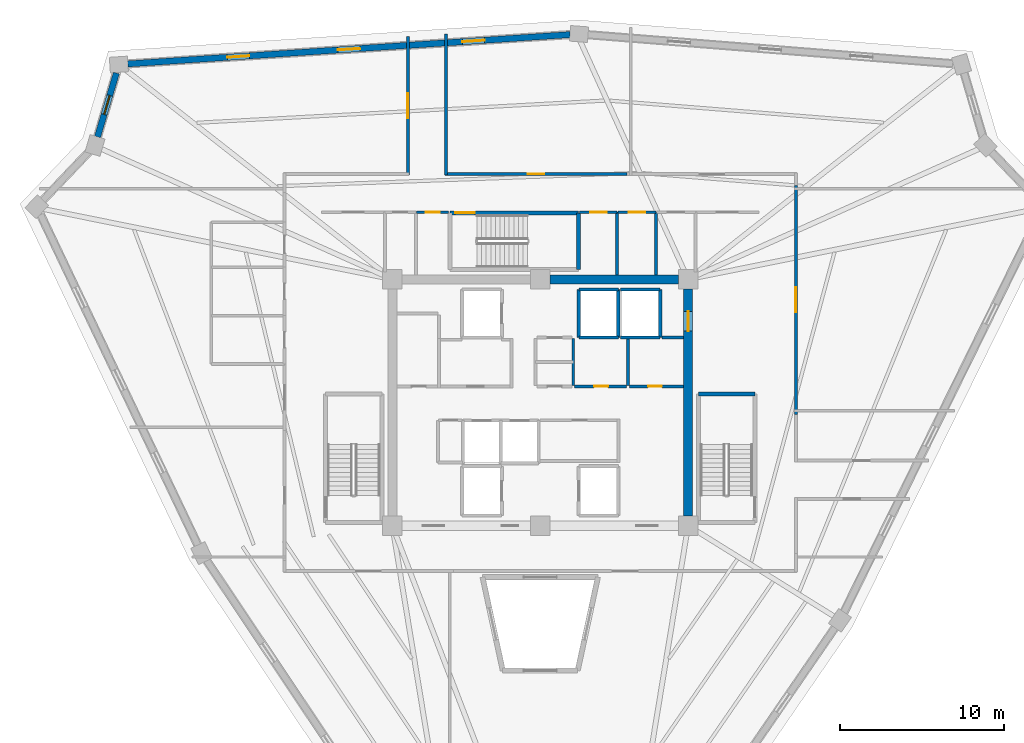
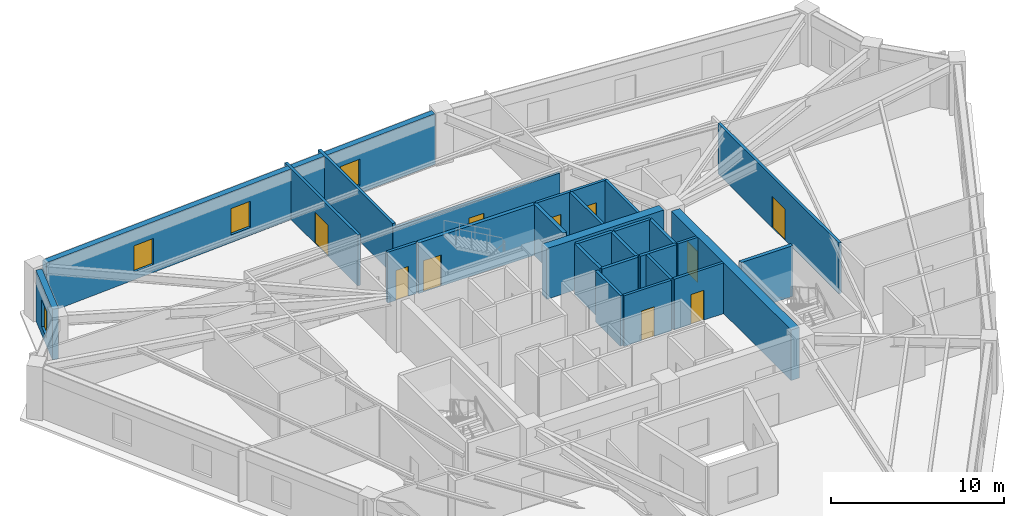
# One storey, part 6 of 8: 28 walls, 10 doors, 4 windows, 14 openings.
"""IFC4 building model written with IfcOpenShell, lengths in metres."""

from ifc_helpers import new_model, si_unit, direction, frame, frame_2d, origin, place, context, subcontext, project, spatial, rectangle, extrude, source, transform, mapped, material, layer, layer_set, type_object, element, fill, save


model = new_model("IFC4")

# Units and contexts
model_context = context("Model", 3, precision=1e-05, world=origin(), true_north=direction((0.0, 1.0)))
body_context = subcontext(model_context, "Body", "Model", "MODEL_VIEW")
ifc_project = project(units=[si_unit("LENGTHUNIT", "METRE"), si_unit("AREAUNIT", "SQUARE_METRE"), si_unit("VOLUMEUNIT", "CUBIC_METRE"), si_unit("PLANEANGLEUNIT", "RADIAN"), si_unit("MASSUNIT", "GRAM", prefix="KILO")], contexts=[model_context])

# Site, building, storey
site_placement = place(None, origin())
site = spatial("IfcSite", under=ifc_project, at=site_placement, CompositionType="ELEMENT")
building_placement = place(site_placement, origin())
building = spatial("IfcBuilding", under=site, at=building_placement, Name="Liaohun Quay Tower", CompositionType="ELEMENT")
storey_placement = place(building_placement, frame((0.0, 0.0, 294.0)))
storey = spatial("IfcBuildingStorey", under=building, at=storey_placement, Name="L76", CompositionType="ELEMENT", Elevation=294.0)

# Wall
ifc_material_1 = material(Name="Concrete C50", Category="concrete")
ifc_layer_1 = layer(ifc_material_1, 0.550048828125, Name="Concrete C50", Category="concrete")
ifc_layer_set_1 = layer_set([ifc_layer_1], Name="Concrete C50")
wall_type_1 = type_object("IfcWallType", Name="WAL-COR-Z4", PredefinedType="SHEAR", material=ifc_layer_set_1)
wall_1_placement = place(storey_placement, frame((60.60009765625, 61.5, 0.0), z_axis=(0.0, 0.0, 1.0), x_axis=(1.0, 0.0, 0.0)))
element("IfcWall", 1, at=wall_1_placement, inside=storey, type_object=wall_type_1, Name="L76 Central Core Shear Wall N-E", PredefinedType="SHEAR", context=body_context, shape_type="SweptSolid", body=[
    extrude(rectangle(XDim=7.7998046875, YDim=0.550048828125, at=frame_2d((3.89990234375, 0.0))), origin(), (0.0, 0.0, 1.0), 3.570068359375),
])

# Wall, opening, door
wall_2_placement = place(storey_placement, frame((69.0, 60.89990234375, 0.0), z_axis=(0.0, 0.0, 1.0), x_axis=(0.0, -1.0, 0.0)))
wall_2 = element("IfcWall", 2, at=wall_2_placement, inside=storey, type_object=wall_type_1, Name="L76 Central Core Shear Wall E", PredefinedType="SHEAR", context=body_context, shape_type="SweptSolid", body=[
    extrude(rectangle(XDim=13.7998046875, YDim=0.550048828125, at=frame_2d((6.89990234375, 0.0))), origin(), (0.0, 0.0, 1.0), 3.570068359375),
])
shared_shape_1 = source(origin(), body_context, "Body", "SweptSolid", [
    extrude(rectangle(XDim=1.199951171875, YDim=2.199951171875, at=frame_2d((0.60009765625, 1.10009765625))), frame((0.0, 0.284912109375, 0.0), z_axis=(0.0, -1.0, 0.0), x_axis=(1.0, 0.0, 0.0)), (0.0, 0.0, 1.0), 0.570068359375),
])
opening_1_placement = place(wall_2_placement, frame((1.35009765625, 0.0, 0.0)))
opening_1 = element("IfcOpeningElement", 3, at=opening_1_placement, cuts=wall_2, Name="Opening SD1", PredefinedType="OPENING", context=body_context, shape_type="MappedRepresentation", body=[
    mapped(shared_shape_1, transform((0.0, 0.0, 0.0), x_axis=(1.0, 0.0, 0.0), y_axis=(0.0, 1.0, 0.0), z_axis=(0.0, 0.0, 1.0), scale=1.0)),
])
ifc_material_2 = material(Name="Galvanised steel fire door", Category="steel")
door_type_1 = type_object("IfcDoorType", Name="DOR-STR-1200", OperationType="NOTDEFINED", PredefinedType="DOOR", material=ifc_material_2)
shared_shape_2 = source(origin(), body_context, "Body", "SweptSolid", [
    extrude(rectangle(XDim=1.199951171875, YDim=2.199951171875, at=frame_2d((0.60009765625, 1.10009765625))), frame((0.0, 0.02490234375, 0.0), z_axis=(0.0, -1.0, 0.0), x_axis=(1.0, 0.0, 0.0)), (0.0, 0.0, 1.0), 0.050048828125),
])
door_1_placement = place(opening_1_placement, origin())
door_1 = element("IfcDoor", 4, at=door_1_placement, inside=storey, type_object=door_type_1, Name="L76 North-East Core Lobby Smokeproof Door", OperationType="SINGLE_SWING_LEFT", OverallHeight=2.199951171875, OverallWidth=1.199951171875, PredefinedType="DOOR", context=body_context, shape_type="MappedRepresentation", body=[
    mapped(shared_shape_2, transform((0.0, 0.0, 0.0), x_axis=(1.0, 0.0, 0.0), y_axis=(0.0, 1.0, 0.0), z_axis=(0.0, 0.0, 1.0), scale=1.0)),
])
fill(opening_1, door_1)

# Wall, openings, windows
ifc_material_3 = material(Name="Precast concrete C50 insulated sandwich", Category="concrete")
ifc_layer_2 = layer(ifc_material_3, 0.3798828125, Name="Precast concrete C50 insulated sandwich", Category="concrete")
ifc_layer_set_2 = layer_set([ifc_layer_2], Name="Precast concrete C50 insulated sandwich")
wall_type_2 = type_object("IfcWallType", Name="WAL-EXT-Z34", PredefinedType="SOLIDWALL", material=ifc_layer_set_2)
wall_3_placement = place(storey_placement, frame((61.821044921875, 76.39111328125, 0.0), z_axis=(0.0, 0.0, 1.0), x_axis=(-0.997809311933, -0.06615570285, 0.0)))
wall_3 = element("IfcWall", 5, at=wall_3_placement, inside=storey, type_object=wall_type_2, Name="L76 Brutalist Precast Pier Wall 07", PredefinedType="SOLIDWALL", context=body_context, shape_type="SweptSolid", body=[
    extrude(rectangle(XDim=26.984130859375, YDim=0.3798828125, at=frame_2d((13.4921875, 0.0))), origin(), (0.0, 0.0, 1.0), 3.570068359375),
])
shared_shape_3 = source(origin(), body_context, "Body", "SweptSolid", [
    extrude(rectangle(XDim=1.35009765625, YDim=1.85009765625, at=frame_2d((0.675048828125, 0.925048828125))), frame((0.0, 0.199951171875, 0.0), z_axis=(0.0, -1.0, 0.0), x_axis=(1.0, 0.0, 0.0)), (0.0, 0.0, 1.0), 0.39990234375),
])
opening_2_placement = place(wall_3_placement, frame((5.220947265625, 0.0, 0.550048828125)))
opening_2 = element("IfcOpeningElement", 6, at=opening_2_placement, cuts=wall_3, Name="Opening W04", PredefinedType="OPENING", context=body_context, shape_type="MappedRepresentation", body=[
    mapped(shared_shape_3, transform((0.0, 0.0, 0.0), x_axis=(1.0, 0.0, 0.0), y_axis=(0.0, 1.0, 0.0), z_axis=(0.0, 0.0, 1.0), scale=1.0)),
])
opening_3_placement = place(wall_3_placement, frame((12.81689453125, 0.0, 0.550048828125)))
opening_3 = element("IfcOpeningElement", 7, at=opening_3_placement, cuts=wall_3, Name="Opening W04", PredefinedType="OPENING", context=body_context, shape_type="MappedRepresentation", body=[
    mapped(shared_shape_3, transform((0.0, 0.0, 0.0), x_axis=(1.0, 0.0, 0.0), y_axis=(0.0, 1.0, 0.0), z_axis=(0.0, 0.0, 1.0), scale=1.0)),
])
opening_4_placement = place(wall_3_placement, frame((19.56298828125, 0.0, 0.550048828125)))
opening_4 = element("IfcOpeningElement", 8, at=opening_4_placement, cuts=wall_3, Name="Opening W04", PredefinedType="OPENING", context=body_context, shape_type="MappedRepresentation", body=[
    mapped(shared_shape_3, transform((0.0, 0.0, 0.0), x_axis=(1.0, 0.0, 0.0), y_axis=(0.0, 1.0, 0.0), z_axis=(0.0, 0.0, 1.0), scale=1.0)),
])
ifc_material_4 = material(Name="Triple Low-E argon glazing in thermally broken aluminium", Category="aluminium")
window_type_1 = type_object("IfcWindowType", Name="WIN-PUN-Z4", PartitioningType="SINGLE_PANEL", PredefinedType="WINDOW", material=ifc_material_4)
shared_shape_4 = source(origin(), body_context, "Body", "SweptSolid", [
    extrude(rectangle(XDim=1.35009765625, YDim=1.85009765625, at=frame_2d((0.675048828125, 0.925048828125))), frame((0.0, 0.030029296875, 0.0), z_axis=(0.0, -1.0, 0.0), x_axis=(1.0, 0.0, 0.0)), (0.0, 0.0, 1.0), 0.06005859375),
])
window_1_placement = place(opening_2_placement, origin())
window_1 = element("IfcWindow", 9, at=window_1_placement, inside=storey, type_object=window_type_1, Name="L76 Recessed Cold-Climate Punched Window 07-1", OverallHeight=1.85009765625, OverallWidth=1.35009765625, PartitioningType="SINGLE_PANEL", PredefinedType="WINDOW", context=body_context, shape_type="MappedRepresentation", body=[
    mapped(shared_shape_4, transform((0.0, 0.0, 0.0), x_axis=(1.0, 0.0, 0.0), y_axis=(0.0, 1.0, 0.0), z_axis=(0.0, 0.0, 1.0), scale=1.0)),
])
fill(opening_2, window_1)
window_2_placement = place(opening_3_placement, origin())
window_2 = element("IfcWindow", 10, at=window_2_placement, inside=storey, type_object=window_type_1, Name="L76 Recessed Cold-Climate Punched Window 07-2", OverallHeight=1.85009765625, OverallWidth=1.35009765625, PartitioningType="SINGLE_PANEL", PredefinedType="WINDOW", context=body_context, shape_type="MappedRepresentation", body=[
    mapped(shared_shape_4, transform((0.0, 0.0, 0.0), x_axis=(1.0, 0.0, 0.0), y_axis=(0.0, 1.0, 0.0), z_axis=(0.0, 0.0, 1.0), scale=1.0)),
])
fill(opening_3, window_2)
window_3_placement = place(opening_4_placement, origin())
window_3 = element("IfcWindow", 11, at=window_3_placement, inside=storey, type_object=window_type_1, Name="L76 Recessed Cold-Climate Punched Window 07-3", OverallHeight=1.85009765625, OverallWidth=1.35009765625, PartitioningType="SINGLE_PANEL", PredefinedType="WINDOW", context=body_context, shape_type="MappedRepresentation", body=[
    mapped(shared_shape_4, transform((0.0, 0.0, 0.0), x_axis=(1.0, 0.0, 0.0), y_axis=(0.0, 1.0, 0.0), z_axis=(0.0, 0.0, 1.0), scale=1.0)),
])
fill(opening_4, window_3)

# Wall, opening, window
wall_4_placement = place(storey_placement, frame((34.2041015625, 74.052001953125, 0.0), z_axis=(0.0, 0.0, 1.0), x_axis=(-0.28287675233, -0.9591562662, 0.0)))
wall_4 = element("IfcWall", 12, at=wall_4_placement, inside=storey, type_object=wall_type_2, Name="L76 Brutalist Precast Pier Wall 08", PredefinedType="SOLIDWALL", context=body_context, shape_type="SweptSolid", body=[
    extrude(rectangle(XDim=4.055419921875, YDim=0.3798828125, at=frame_2d((2.02783203125, 0.0))), origin(), (0.0, 0.0, 1.0), 3.570068359375),
])
shared_shape_5 = source(origin(), body_context, "Body", "SweptSolid", [
    extrude(rectangle(XDim=1.199951171875, YDim=1.89990234375, at=frame_2d((0.60009765625, 0.949951171875))), frame((0.0, 0.199951171875, 0.0), z_axis=(0.0, -1.0, 0.0), x_axis=(1.0, 0.0, 0.0)), (0.0, 0.0, 1.0), 0.39990234375),
])
opening_5_placement = place(wall_4_placement, frame((1.427978515625, 0.0, 0.550048828125)))
opening_5 = element("IfcOpeningElement", 13, at=opening_5_placement, cuts=wall_4, Name="Opening W05", PredefinedType="OPENING", context=body_context, shape_type="MappedRepresentation", body=[
    mapped(shared_shape_5, transform((0.0, 0.0, 0.0), x_axis=(1.0, 0.0, 0.0), y_axis=(0.0, 1.0, 0.0), z_axis=(0.0, 0.0, 1.0), scale=1.0)),
])
ifc_material_5 = material(Name="Triple Low-E corner notch glazing", Category="glass")
window_type_2 = type_object("IfcWindowType", Name="WIN-NOTCH", PartitioningType="SINGLE_PANEL", PredefinedType="WINDOW", material=ifc_material_5)
shared_shape_6 = source(origin(), body_context, "Body", "SweptSolid", [
    extrude(rectangle(XDim=1.199951171875, YDim=1.89990234375, at=frame_2d((0.60009765625, 0.949951171875))), frame((0.0, 0.030029296875, 0.0), z_axis=(0.0, -1.0, 0.0), x_axis=(1.0, 0.0, 0.0)), (0.0, 0.0, 1.0), 0.06005859375),
])
window_4_placement = place(opening_5_placement, origin())
window_4 = element("IfcWindow", 14, at=window_4_placement, inside=storey, type_object=window_type_2, Name="L76 Corner Notch Window W05-08", OverallHeight=1.89990234375, OverallWidth=1.199951171875, PartitioningType="SINGLE_PANEL", PredefinedType="WINDOW", context=body_context, shape_type="MappedRepresentation", body=[
    mapped(shared_shape_6, transform((0.0, 0.0, 0.0), x_axis=(1.0, 0.0, 0.0), y_axis=(0.0, 1.0, 0.0), z_axis=(0.0, 0.0, 1.0), scale=1.0)),
])
fill(opening_5, window_4)

# Wall, opening, door
ifc_material_6 = material(Name="Autoclaved aerated concrete blockwork", Category="masonry")
ifc_layer_3 = layer(ifc_material_6, 0.179931640625, Name="Autoclaved aerated concrete blockwork", Category="masonry")
ifc_layer_set_3 = layer_set([ifc_layer_3], Name="Autoclaved aerated concrete blockwork")
wall_type_3 = type_object("IfcWallType", Name="WAL-PRT-COR", PredefinedType="PARTITIONING", material=ifc_layer_set_3)
wall_5_placement = place(storey_placement, frame((62.10009765625, 54.97998046875, 0.0), z_axis=(0.0, 0.0, 1.0), x_axis=(1.0, 0.0, 0.0)))
wall_5 = element("IfcWall", 15, at=wall_5_placement, inside=storey, type_object=wall_type_3, Name="L76 Interior Partition Wall 004", PredefinedType="PARTITIONING", context=body_context, shape_type="SweptSolid", body=[
    extrude(rectangle(XDim=3.159912109375, YDim=0.179931640625, at=frame_2d((1.580078125, 0.0))), origin(), (0.0, 0.0, 1.0), 3.570068359375),
])
shared_shape_7 = source(origin(), body_context, "Body", "SweptSolid", [
    extrude(rectangle(XDim=0.85009765625, YDim=2.10009765625, at=frame_2d((0.425048828125, 1.050048828125))), frame((0.0, 0.099853515625, 0.0), z_axis=(0.0, -1.0, 0.0), x_axis=(1.0, 0.0, 0.0)), (0.0, 0.0, 1.0), 0.199951171875),
])
opening_6_placement = place(wall_5_placement, frame((1.175048828125, 0.0, 0.0)))
opening_6 = element("IfcOpeningElement", 16, at=opening_6_placement, cuts=wall_5, Name="Opening AD1", PredefinedType="OPENING", context=body_context, shape_type="MappedRepresentation", body=[
    mapped(shared_shape_7, transform((0.0, 0.0, 0.0), x_axis=(1.0, 0.0, 0.0), y_axis=(0.0, 1.0, 0.0), z_axis=(0.0, 0.0, 1.0), scale=1.0)),
])
ifc_material_7 = material(Name="Steel riser inspection fire door", Category="steel")
door_type_2 = type_object("IfcDoorType", Name="DOR-SHF-850", OperationType="NOTDEFINED", PredefinedType="DOOR", material=ifc_material_7)
shared_shape_8 = source(origin(), body_context, "Body", "SweptSolid", [
    extrude(rectangle(XDim=0.85009765625, YDim=2.10009765625, at=frame_2d((0.425048828125, 1.050048828125))), frame((0.0, 0.02490234375, 0.0), z_axis=(0.0, -1.0, 0.0), x_axis=(1.0, 0.0, 0.0)), (0.0, 0.0, 1.0), 0.050048828125),
])
door_2_placement = place(opening_6_placement, origin())
door_2 = element("IfcDoor", 17, at=door_2_placement, inside=storey, type_object=door_type_2, Name="L76 Core Facilities Store Door", OperationType="SINGLE_SWING_RIGHT", OverallHeight=2.10009765625, OverallWidth=0.85009765625, PredefinedType="DOOR", context=body_context, shape_type="MappedRepresentation", body=[
    mapped(shared_shape_8, transform((0.0, 0.0, 0.0), x_axis=(1.0, 0.0, 0.0), y_axis=(0.0, 1.0, 0.0), z_axis=(0.0, 0.0, 1.0), scale=1.0)),
])
fill(opening_6, door_2)

wall_6_placement = place(storey_placement, frame((65.43994140625, 54.97998046875, 0.0), z_axis=(0.0, 0.0, 1.0), x_axis=(1.0, 0.0, 0.0)))
wall_6 = element("IfcWall", 18, at=wall_6_placement, inside=storey, type_object=wall_type_3, Name="L76 Interior Partition Wall 005", PredefinedType="PARTITIONING", context=body_context, shape_type="SweptSolid", body=[
    extrude(rectangle(XDim=3.28515625, YDim=0.179931640625, at=frame_2d((1.642578125, 0.0))), origin(), (0.0, 0.0, 1.0), 3.570068359375),
])
opening_7_placement = place(wall_6_placement, frame((1.1201171875, 0.0, 0.0)))
opening_7 = element("IfcOpeningElement", 19, at=opening_7_placement, cuts=wall_6, Name="Opening AD1", PredefinedType="OPENING", context=body_context, shape_type="MappedRepresentation", body=[
    mapped(shared_shape_7, transform((0.0, 0.0, 0.0), x_axis=(1.0, 0.0, 0.0), y_axis=(0.0, 1.0, 0.0), z_axis=(0.0, 0.0, 1.0), scale=1.0)),
])
door_3_placement = place(opening_7_placement, origin())
door_3 = element("IfcDoor", 20, at=door_3_placement, inside=storey, type_object=door_type_2, Name="L76 Core Comms Equipment Room Door", OperationType="SINGLE_SWING_LEFT", OverallHeight=2.10009765625, OverallWidth=0.85009765625, PredefinedType="DOOR", context=body_context, shape_type="MappedRepresentation", body=[
    mapped(shared_shape_8, transform((0.0, 0.0, 0.0), x_axis=(1.0, 0.0, 0.0), y_axis=(0.0, 1.0, 0.0), z_axis=(0.0, 0.0, 1.0), scale=1.0)),
])
fill(opening_7, door_3)

wall_7_placement = place(storey_placement, frame((52.47998046875, 65.580078125, 0.0), z_axis=(0.0, 0.0, 1.0), x_axis=(1.0, 0.0, 0.0)))
wall_7 = element("IfcWall", 21, at=wall_7_placement, inside=storey, type_object=wall_type_3, Name="L76 Interior Partition Wall 013", PredefinedType="PARTITIONING", context=body_context, shape_type="SweptSolid", body=[
    extrude(rectangle(XDim=1.929931640625, YDim=0.179931640625, at=frame_2d((0.96484375, 0.0))), origin(), (0.0, 0.0, 1.0), 3.570068359375),
])
opening_8_placement = place(wall_7_placement, frame((0.5400390625, 0.0, 0.0)))
opening_8 = element("IfcOpeningElement", 22, at=opening_8_placement, cuts=wall_7, Name="Opening AD1", PredefinedType="OPENING", context=body_context, shape_type="MappedRepresentation", body=[
    mapped(shared_shape_7, transform((0.0, 0.0, 0.0), x_axis=(1.0, 0.0, 0.0), y_axis=(0.0, 1.0, 0.0), z_axis=(0.0, 0.0, 1.0), scale=1.0)),
])
door_4_placement = place(opening_8_placement, origin())
door_4 = element("IfcDoor", 23, at=door_4_placement, inside=storey, type_object=door_type_2, Name="L76 North-West Print Closet Door", OperationType="SINGLE_SWING_LEFT", OverallHeight=2.10009765625, OverallWidth=0.85009765625, PredefinedType="DOOR", context=body_context, shape_type="MappedRepresentation", body=[
    mapped(shared_shape_8, transform((0.0, 0.0, 0.0), x_axis=(1.0, 0.0, 0.0), y_axis=(0.0, 1.0, 0.0), z_axis=(0.0, 0.0, 1.0), scale=1.0)),
])
fill(opening_8, door_4)

wall_8_placement = place(storey_placement, frame((62.389892578125, 65.580078125, 0.0), z_axis=(0.0, 0.0, 1.0), x_axis=(1.0, 0.0, 0.0)))
wall_8 = element("IfcWall", 24, at=wall_8_placement, inside=storey, type_object=wall_type_3, Name="L76 Interior Partition Wall 014", PredefinedType="PARTITIONING", context=body_context, shape_type="SweptSolid", body=[
    extrude(rectangle(XDim=2.2900390625, YDim=0.179931640625, at=frame_2d((1.14501953125, 0.0))), origin(), (0.0, 0.0, 1.0), 3.570068359375),
])
shared_shape_9 = source(origin(), body_context, "Body", "SweptSolid", [
    extrude(rectangle(XDim=1.0, YDim=2.199951171875, at=frame_2d((0.5, 1.10009765625))), frame((0.0, 0.099853515625, 0.0), z_axis=(0.0, -1.0, 0.0), x_axis=(1.0, 0.0, 0.0)), (0.0, 0.0, 1.0), 0.199951171875),
])
opening_9_placement = place(wall_8_placement, frame((0.64501953125, 0.0, 0.0)))
opening_9 = element("IfcOpeningElement", 25, at=opening_9_placement, cuts=wall_8, Name="Opening OD1", PredefinedType="OPENING", context=body_context, shape_type="MappedRepresentation", body=[
    mapped(shared_shape_9, transform((0.0, 0.0, 0.0), x_axis=(1.0, 0.0, 0.0), y_axis=(0.0, 1.0, 0.0), z_axis=(0.0, 0.0, 1.0), scale=1.0)),
])
ifc_material_8 = material(Name="Solid-core oak veneer timber leaf in steel frame", Category="steel")
door_type_3 = type_object("IfcDoorType", Name="DOR-OFF-1000", OperationType="NOTDEFINED", PredefinedType="DOOR", material=ifc_material_8)
shared_shape_10 = source(origin(), body_context, "Body", "SweptSolid", [
    extrude(rectangle(XDim=1.0, YDim=2.199951171875, at=frame_2d((0.5, 1.10009765625))), frame((0.0, 0.02490234375, 0.0), z_axis=(0.0, -1.0, 0.0), x_axis=(1.0, 0.0, 0.0)), (0.0, 0.0, 1.0), 0.050048828125),
])
door_5_placement = place(opening_9_placement, origin())
door_5 = element("IfcDoor", 26, at=door_5_placement, inside=storey, type_object=door_type_3, Name="L76 North-East Mail Store Door", OperationType="SINGLE_SWING_RIGHT", OverallHeight=2.199951171875, OverallWidth=1.0, PredefinedType="DOOR", context=body_context, shape_type="MappedRepresentation", body=[
    mapped(shared_shape_10, transform((0.0, 0.0, 0.0), x_axis=(1.0, 0.0, 0.0), y_axis=(0.0, 1.0, 0.0), z_axis=(0.0, 0.0, 1.0), scale=1.0)),
])
fill(opening_9, door_5)

wall_9_placement = place(storey_placement, frame((64.719970703125, 65.580078125, 0.0), z_axis=(0.0, 0.0, 1.0), x_axis=(1.0, 0.0, 0.0)))
wall_9 = element("IfcWall", 27, at=wall_9_placement, inside=storey, type_object=wall_type_3, Name="L76 Interior Partition Wall 015", PredefinedType="PARTITIONING", context=body_context, shape_type="SweptSolid", body=[
    extrude(rectangle(XDim=2.320068359375, YDim=0.179931640625, at=frame_2d((1.16015625, 0.0))), origin(), (0.0, 0.0, 1.0), 3.570068359375),
])
opening_10_placement = place(wall_9_placement, frame((0.659912109375, 0.0, 0.0)))
opening_10 = element("IfcOpeningElement", 28, at=opening_10_placement, cuts=wall_9, Name="Opening OD1", PredefinedType="OPENING", context=body_context, shape_type="MappedRepresentation", body=[
    mapped(shared_shape_9, transform((0.0, 0.0, 0.0), x_axis=(1.0, 0.0, 0.0), y_axis=(0.0, 1.0, 0.0), z_axis=(0.0, 0.0, 1.0), scale=1.0)),
])
door_6_placement = place(opening_10_placement, origin())
door_6 = element("IfcDoor", 29, at=door_6_placement, inside=storey, type_object=door_type_3, Name="L76 North-East Comms Room Door", OperationType="SINGLE_SWING_LEFT", OverallHeight=2.199951171875, OverallWidth=1.0, PredefinedType="DOOR", context=body_context, shape_type="MappedRepresentation", body=[
    mapped(shared_shape_10, transform((0.0, 0.0, 0.0), x_axis=(1.0, 0.0, 0.0), y_axis=(0.0, 1.0, 0.0), z_axis=(0.0, 0.0, 1.0), scale=1.0)),
])
fill(opening_10, door_6)

wall_10_placement = place(storey_placement, frame((75.56005859375, 67.215087890625, 0.0), z_axis=(0.0, 0.0, 1.0), x_axis=(0.0, -1.0, 0.0)))
wall_10 = element("IfcWall", 30, at=wall_10_placement, inside=storey, type_object=wall_type_3, Name="L76 Interior Partition Wall 019", PredefinedType="PARTITIONING", context=body_context, shape_type="SweptSolid", body=[
    extrude(rectangle(XDim=13.93017578125, YDim=0.179931640625, at=frame_2d((6.965087890625, 0.0))), origin(), (0.0, 0.0, 1.0), 3.570068359375),
])
shared_shape_11 = source(origin(), body_context, "Body", "SweptSolid", [
    extrude(rectangle(XDim=1.5, YDim=2.199951171875, at=frame_2d((0.75, 1.10009765625))), frame((0.0, 0.099853515625, 0.0), z_axis=(0.0, -1.0, 0.0), x_axis=(1.0, 0.0, 0.0)), (0.0, 0.0, 1.0), 0.199951171875),
])
opening_11_placement = place(wall_10_placement, frame((6.215087890625, 0.0, 0.0)))
opening_11 = element("IfcOpeningElement", 31, at=opening_11_placement, cuts=wall_10, Name="Opening OD2", PredefinedType="OPENING", context=body_context, shape_type="MappedRepresentation", body=[
    mapped(shared_shape_11, transform((0.0, 0.0, 0.0), x_axis=(1.0, 0.0, 0.0), y_axis=(0.0, 1.0, 0.0), z_axis=(0.0, 0.0, 1.0), scale=1.0)),
])
ifc_material_9 = material(Name="Acoustic oak veneer double door")
door_type_4 = type_object("IfcDoorType", Name="DOR-OFF-1500", OperationType="DOUBLE_DOOR_SINGLE_SWING", PredefinedType="DOOR", material=ifc_material_9)
shared_shape_12 = source(origin(), body_context, "Body", "SweptSolid", [
    extrude(rectangle(XDim=1.5, YDim=2.199951171875, at=frame_2d((0.75, 1.10009765625))), frame((0.0, 0.02490234375, 0.0), z_axis=(0.0, -1.0, 0.0), x_axis=(1.0, 0.0, 0.0)), (0.0, 0.0, 1.0), 0.050048828125),
])
door_7_placement = place(opening_11_placement, origin())
door_7 = element("IfcDoor", 32, at=door_7_placement, inside=storey, type_object=door_type_4, Name="L76 Engineering Model Workshop 01 Door", OperationType="DOUBLE_DOOR_SINGLE_SWING", OverallHeight=2.199951171875, OverallWidth=1.5, PredefinedType="DOOR", context=body_context, shape_type="MappedRepresentation", body=[
    mapped(shared_shape_12, transform((0.0, 0.0, 0.0), x_axis=(1.0, 0.0, 0.0), y_axis=(0.0, 1.0, 0.0), z_axis=(0.0, 0.0, 1.0), scale=1.0)),
])
fill(opening_11, door_7)

wall_11_placement = place(storey_placement, frame((54.18994140625, 67.909912109375, 0.0), z_axis=(0.0, 0.0, 1.0), x_axis=(1.0, 0.0, 0.0)))
wall_11 = element("IfcWall", 33, at=wall_11_placement, inside=storey, type_object=wall_type_3, Name="L76 Interior Partition Wall 021", PredefinedType="PARTITIONING", context=body_context, shape_type="SweptSolid", body=[
    extrude(rectangle(XDim=11.094970703125, YDim=0.179931640625, at=frame_2d((5.54736328125, 0.0))), origin(), (0.0, 0.0, 1.0), 3.260986328125),
])
opening_12_placement = place(wall_11_placement, frame((5.047119140625, 0.0, 0.0)))
opening_12 = element("IfcOpeningElement", 34, at=opening_12_placement, cuts=wall_11, Name="Opening OD1", PredefinedType="OPENING", context=body_context, shape_type="MappedRepresentation", body=[
    mapped(shared_shape_9, transform((0.0, 0.0, 0.0), x_axis=(1.0, 0.0, 0.0), y_axis=(0.0, 1.0, 0.0), z_axis=(0.0, 0.0, 1.0), scale=1.0)),
])
door_8_placement = place(opening_12_placement, origin())
door_8 = element("IfcDoor", 35, at=door_8_placement, inside=storey, type_object=door_type_3, Name="L76 Engineering Model Workshop 03 Door", OperationType="SINGLE_SWING_LEFT", OverallHeight=2.199951171875, OverallWidth=1.0, PredefinedType="DOOR", context=body_context, shape_type="MappedRepresentation", body=[
    mapped(shared_shape_10, transform((0.0, 0.0, 0.0), x_axis=(1.0, 0.0, 0.0), y_axis=(0.0, 1.0, 0.0), z_axis=(0.0, 0.0, 1.0), scale=1.0)),
])
fill(opening_12, door_8)

wall_12_placement = place(storey_placement, frame((51.93994140625, 67.840087890625, 0.0), z_axis=(0.0, 0.0, 1.0), x_axis=(0.0, 1.0, 0.0)))
wall_12 = element("IfcWall", 36, at=wall_12_placement, inside=storey, type_object=wall_type_3, Name="L76 Interior Partition Wall 022", PredefinedType="PARTITIONING", context=body_context, shape_type="SweptSolid", body=[
    extrude(rectangle(XDim=8.43701171875, YDim=0.179931640625, at=frame_2d((4.218505859375, 0.0))), origin(), (0.0, 0.0, 1.0), 3.570068359375),
])
opening_13_placement = place(wall_12_placement, frame((3.468017578125, 0.0, 0.0)))
opening_13 = element("IfcOpeningElement", 37, at=opening_13_placement, cuts=wall_12, Name="Opening OD2", PredefinedType="OPENING", context=body_context, shape_type="MappedRepresentation", body=[
    mapped(shared_shape_11, transform((0.0, 0.0, 0.0), x_axis=(1.0, 0.0, 0.0), y_axis=(0.0, 1.0, 0.0), z_axis=(0.0, 0.0, 1.0), scale=1.0)),
])
door_9_placement = place(opening_13_placement, origin())
door_9 = element("IfcDoor", 38, at=door_9_placement, inside=storey, type_object=door_type_4, Name="L76 Project Collaboration Studio 04 Door", OperationType="DOUBLE_DOOR_SINGLE_SWING", OverallHeight=2.199951171875, OverallWidth=1.5, PredefinedType="DOOR", context=body_context, shape_type="MappedRepresentation", body=[
    mapped(shared_shape_12, transform((0.0, 0.0, 0.0), x_axis=(1.0, 0.0, 0.0), y_axis=(0.0, 1.0, 0.0), z_axis=(0.0, 0.0, 1.0), scale=1.0)),
])
fill(opening_13, door_9)

# Walls
wall_13_placement = place(storey_placement, frame((65.35009765625, 55.02001953125, 0.0), z_axis=(0.0, 0.0, 1.0), x_axis=(0.0, 1.0, 0.0)))
element("IfcWall", 39, at=wall_13_placement, inside=storey, type_object=wall_type_3, Name="L76 Interior Partition Wall 030", PredefinedType="PARTITIONING", context=body_context, shape_type="SweptSolid", body=[
    extrude(rectangle(XDim=2.85986328125, YDim=0.179931640625, at=frame_2d((1.429931640625, 0.0))), origin(), (0.0, 0.0, 1.0), 3.570068359375),
])
wall_14_placement = place(storey_placement, frame((62.010009765625, 55.02001953125, 0.0), z_axis=(0.0, 0.0, 1.0), x_axis=(0.0, 1.0, 0.0)))
element("IfcWall", 40, at=wall_14_placement, inside=storey, type_object=wall_type_3, Name="L76 Interior Partition Wall 032", PredefinedType="PARTITIONING", context=body_context, shape_type="SweptSolid", body=[
    extrude(rectangle(XDim=2.8798828125, YDim=0.179931640625, at=frame_2d((1.43994140625, 0.0))), origin(), (0.0, 0.0, 1.0), 3.570068359375),
])
for number, where, z_axis, x_axis, name in (
    (41, (64.679931640625, 61.77490234375, 0.0), (0.0, 0.0, 1.0), (0.0, 1.0, 0.0), "L76 Interior Partition Wall 043"),
    (42, (67.0400390625, 61.77490234375, 0.0), (0.0, 0.0, 1.0), (0.0, 1.0, 0.0), "L76 Interior Partition Wall 044"),
):
    element("IfcWall", number, at=place(storey_placement, frame(where, z_axis=z_axis, x_axis=x_axis)), inside=storey, type_object=wall_type_3, Name=name, PredefinedType="PARTITIONING", context=body_context, shape_type="SweptSolid", body=[
        extrude(rectangle(XDim=3.80517578125, YDim=0.179931640625, at=frame_2d((1.902587890625, 0.0))), origin(), (0.0, 0.0, 1.0), 3.570068359375),
    ])
wall_15_placement = place(storey_placement, frame((54.260009765625, 76.430908203125, 0.0), z_axis=(0.0, 0.0, 1.0), x_axis=(0.0, -1.0, 0.0)))
element("IfcWall", 43, at=wall_15_placement, inside=storey, type_object=wall_type_3, Name="L76 Interior Partition Wall 047", PredefinedType="PARTITIONING", context=body_context, shape_type="SweptSolid", body=[
    extrude(rectangle(XDim=8.5908203125, YDim=0.179931640625, at=frame_2d((4.29541015625, 0.0))), origin(), (0.0, 0.0, 1.0), 3.570068359375),
])
wall_16_placement = place(storey_placement, frame((67.39990234375, 57.949951171875, 0.0), z_axis=(0.0, 0.0, 1.0), x_axis=(1.0, 0.0, 0.0)))
element("IfcWall", 44, at=wall_16_placement, inside=storey, type_object=wall_type_3, Name="L76 Interior Partition Wall 070", PredefinedType="PARTITIONING", context=body_context, shape_type="SweptSolid", body=[
    extrude(rectangle(XDim=1.3251953125, YDim=0.179931640625, at=frame_2d((0.66259765625, 0.0))), origin(), (0.0, 0.0, 1.0), 3.570068359375),
])
ifc_layer_4 = layer(ifc_material_1, 0.239990234375, Name="Concrete C50", Category="concrete")
ifc_layer_set_4 = layer_set([ifc_layer_4], Name="Concrete C50")
wall_type_4 = type_object("IfcWallType", Name="WAL-SHF-200", PredefinedType="SOLIDWALL", material=ifc_layer_set_4)
for number, where, z_axis, x_axis, name in (
    (45, (73.06005859375, 54.52001953125, 0.0), (0.0, 0.0, 1.0), (-1.0, 0.0, 0.0), "L76 Stairwell ST-2 Structural Core Wall N"),
    (46, (62.320068359375, 62.10009765625, 0.0), (0.0, 0.0, 1.0), (0.0, 1.0, 0.0), "L76 Stairwell ST-3 Structural Core Wall E"),
):
    element("IfcWall", number, at=place(storey_placement, frame(where, z_axis=z_axis, x_axis=x_axis)), inside=storey, type_object=wall_type_4, Name=name, PredefinedType="SOLIDWALL", context=body_context, shape_type="SweptSolid", body=[
        extrude(rectangle(XDim=3.43994140625, YDim=0.239990234375, at=frame_2d((1.719970703125, 0.0))), origin(), (0.0, 0.0, 1.0), 3.570068359375),
    ])

# Wall, opening, door
wall_17_placement = place(storey_placement, frame((62.320068359375, 65.5400390625, 0.0), z_axis=(0.0, 0.0, 1.0), x_axis=(-1.0, 0.0, 0.0)))
wall_17 = element("IfcWall", 47, at=wall_17_placement, inside=storey, type_object=wall_type_4, Name="L76 Stairwell ST-3 Structural Core Wall N", PredefinedType="SOLIDWALL", context=body_context, shape_type="SweptSolid", body=[
    extrude(rectangle(XDim=7.820068359375, YDim=0.239990234375, at=frame_2d((3.91015625, 0.0))), origin(), (0.0, 0.0, 1.0), 3.570068359375),
])
shared_shape_13 = source(origin(), body_context, "Body", "SweptSolid", [
    extrude(rectangle(XDim=1.199951171875, YDim=2.199951171875, at=frame_2d((0.60009765625, 1.10009765625))), frame((0.0, 0.1298828125, 0.0), z_axis=(0.0, -1.0, 0.0), x_axis=(1.0, 0.0, 0.0)), (0.0, 0.0, 1.0), 0.260009765625),
])
opening_14_placement = place(wall_17_placement, frame((6.300048828125, 0.0, 0.0)))
opening_14 = element("IfcOpeningElement", 48, at=opening_14_placement, cuts=wall_17, Name="Opening SD1", PredefinedType="OPENING", context=body_context, shape_type="MappedRepresentation", body=[
    mapped(shared_shape_13, transform((0.0, 0.0, 0.0), x_axis=(1.0, 0.0, 0.0), y_axis=(0.0, 1.0, 0.0), z_axis=(0.0, 0.0, 1.0), scale=1.0)),
])
door_10_placement = place(opening_14_placement, origin())
door_10 = element("IfcDoor", 49, at=door_10_placement, inside=storey, type_object=door_type_1, Name="L76 Protected Stair ST-3 Fire Door", OperationType="SINGLE_SWING_RIGHT", OverallHeight=2.199951171875, OverallWidth=1.199951171875, PredefinedType="DOOR", context=body_context, shape_type="MappedRepresentation", body=[
    mapped(shared_shape_2, transform((0.0, 0.0, 0.0), x_axis=(1.0, 0.0, 0.0), y_axis=(0.0, 1.0, 0.0), z_axis=(0.0, 0.0, 1.0), scale=1.0)),
])
fill(opening_14, door_10)

# Walls
wall_18_placement = place(storey_placement, frame((62.35009765625, 57.949951171875, 0.0), z_axis=(0.0, 0.0, 1.0), x_axis=(1.0, 0.0, 0.0)))
element("IfcWall", 50, at=wall_18_placement, inside=storey, type_object=wall_type_4, Name="L76 Lift OB-01 Hoistway Wall S", PredefinedType="SOLIDWALL", context=body_context, shape_type="SweptSolid", body=[
    extrude(rectangle(XDim=2.39990234375, YDim=0.199951171875, at=frame_2d((1.199951171875, 0.0))), origin(), (0.0, 0.0, 1.0), 3.570068359375),
])
wall_19_placement = place(storey_placement, frame((64.75, 57.949951171875, 0.0), z_axis=(0.0, 0.0, 1.0), x_axis=(0.0, 1.0, 0.0)))
element("IfcWall", 51, at=wall_19_placement, inside=storey, type_object=wall_type_4, Name="L76 Lift OB-01 Hoistway Wall E", PredefinedType="SOLIDWALL", context=body_context, shape_type="SweptSolid", body=[
    extrude(rectangle(XDim=2.929931640625, YDim=0.199951171875, at=frame_2d((1.46484375, 0.0))), origin(), (0.0, 0.0, 1.0), 3.570068359375),
])
wall_20_placement = place(storey_placement, frame((64.75, 60.8798828125, 0.0), z_axis=(0.0, 0.0, 1.0), x_axis=(-1.0, 0.0, 0.0)))
element("IfcWall", 52, at=wall_20_placement, inside=storey, type_object=wall_type_4, Name="L76 Lift OB-01 Hoistway Wall N", PredefinedType="SOLIDWALL", context=body_context, shape_type="SweptSolid", body=[
    extrude(rectangle(XDim=2.39990234375, YDim=0.199951171875, at=frame_2d((1.199951171875, 0.0))), origin(), (0.0, 0.0, 1.0), 3.570068359375),
])
wall_21_placement = place(storey_placement, frame((62.35009765625, 60.8798828125, 0.0), z_axis=(0.0, 0.0, 1.0), x_axis=(0.0, -1.0, 0.0)))
element("IfcWall", 53, at=wall_21_placement, inside=storey, type_object=wall_type_4, Name="L76 Lift OB-01 Hoistway Wall W", PredefinedType="SOLIDWALL", context=body_context, shape_type="SweptSolid", body=[
    extrude(rectangle(XDim=2.929931640625, YDim=0.199951171875, at=frame_2d((1.46484375, 0.0))), origin(), (0.0, 0.0, 1.0), 3.570068359375),
])
wall_22_placement = place(storey_placement, frame((64.89990234375, 57.949951171875, 0.0), z_axis=(0.0, 0.0, 1.0), x_axis=(1.0, 0.0, 0.0)))
element("IfcWall", 54, at=wall_22_placement, inside=storey, type_object=wall_type_4, Name="L76 Lift OB-02 Hoistway Wall S", PredefinedType="SOLIDWALL", context=body_context, shape_type="SweptSolid", body=[
    extrude(rectangle(XDim=2.400146484375, YDim=0.199951171875, at=frame_2d((1.2001953125, 0.0))), origin(), (0.0, 0.0, 1.0), 3.570068359375),
])
wall_23_placement = place(storey_placement, frame((67.300048828125, 57.949951171875, 0.0), z_axis=(0.0, 0.0, 1.0), x_axis=(0.0, 1.0, 0.0)))
element("IfcWall", 55, at=wall_23_placement, inside=storey, type_object=wall_type_4, Name="L76 Lift OB-02 Hoistway Wall E", PredefinedType="SOLIDWALL", context=body_context, shape_type="SweptSolid", body=[
    extrude(rectangle(XDim=2.929931640625, YDim=0.199951171875, at=frame_2d((1.46484375, 0.0))), origin(), (0.0, 0.0, 1.0), 3.570068359375),
])
wall_24_placement = place(storey_placement, frame((67.300048828125, 60.8798828125, 0.0), z_axis=(0.0, 0.0, 1.0), x_axis=(-1.0, 0.0, 0.0)))
element("IfcWall", 56, at=wall_24_placement, inside=storey, type_object=wall_type_4, Name="L76 Lift OB-02 Hoistway Wall N", PredefinedType="SOLIDWALL", context=body_context, shape_type="SweptSolid", body=[
    extrude(rectangle(XDim=2.400146484375, YDim=0.199951171875, at=frame_2d((1.2001953125, 0.0))), origin(), (0.0, 0.0, 1.0), 3.570068359375),
])

save(model, "model.ifc")
